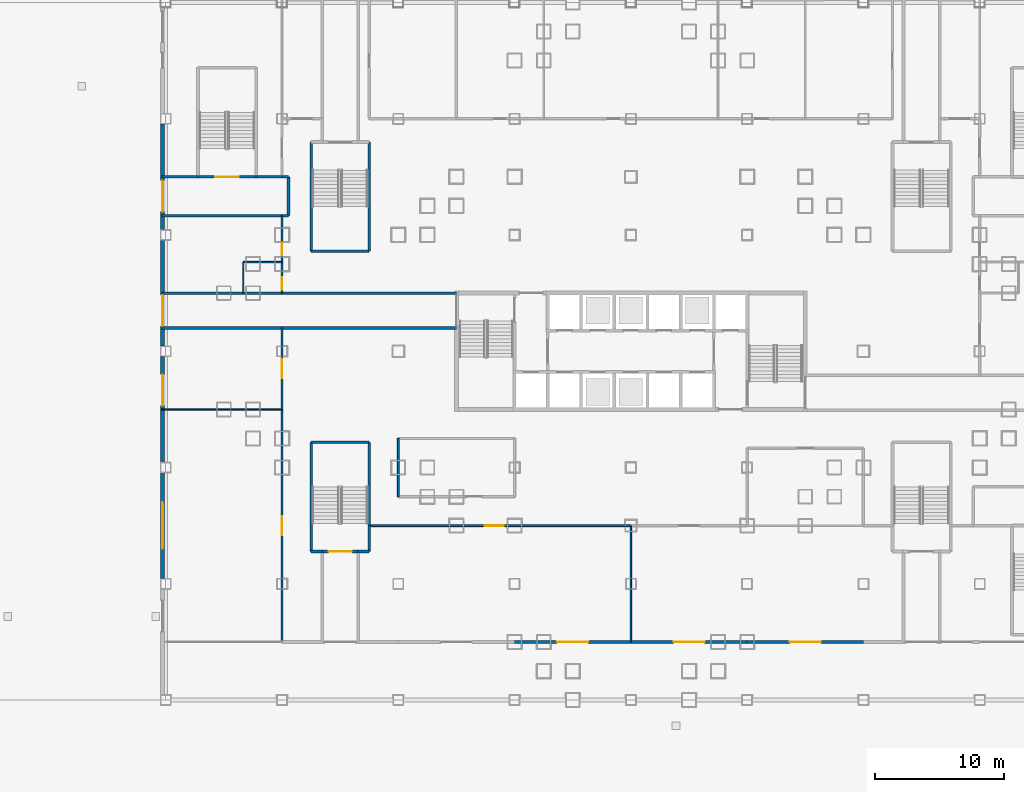
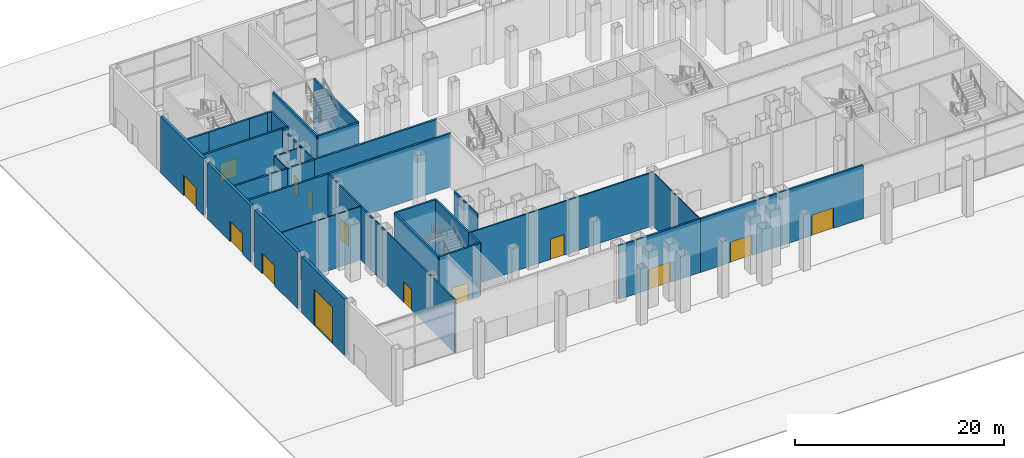
# One storey, part 13 of 38: 39 walls, 14 doors, 14 openings.
"""IFC4 building model written with IfcOpenShell, lengths in metres."""

from ifc_helpers import new_model, si_unit, direction, frame, frame_2d, origin, place, context, subcontext, project, spatial, rectangle, extrude, material, layer, layer_set, type_object, element, fill, save


model = new_model("IFC4")

# Units and contexts
model_context = context("Model", 3, precision=1e-05, world=origin(), true_north=direction((0.0, 1.0)))
body_context = subcontext(model_context, "Body", "Model", "MODEL_VIEW")
ifc_project = project(units=[si_unit("LENGTHUNIT", "METRE"), si_unit("AREAUNIT", "SQUARE_METRE"), si_unit("VOLUMEUNIT", "CUBIC_METRE"), si_unit("PLANEANGLEUNIT", "RADIAN"), si_unit("MASSUNIT", "GRAM", prefix="KILO")], contexts=[model_context])

# Site, building, storey
site_placement = place(None, origin())
site = spatial("IfcSite", under=ifc_project, at=site_placement, CompositionType="ELEMENT")
building_placement = place(site_placement, origin())
building = spatial("IfcBuilding", under=site, at=building_placement, Name="Caravel Reach Hotel and Residences", CompositionType="ELEMENT")
storey_placement = place(building_placement, origin())
storey = spatial("IfcBuildingStorey", under=building, at=storey_placement, Name="L00", CompositionType="ELEMENT", Elevation=0.0)

# Walls
ifc_material_1 = material(Name="Autoclaved aerated block wall")
ifc_layer_1 = layer(ifc_material_1, 0.199951171875)
ifc_layer_set_1 = layer_set([ifc_layer_1], Name="Compartment wall 200 mm EI 120")
wall_type_1 = type_object("IfcWallType", Name="Compartment wall 200 mm EI 120", PredefinedType="PARTITIONING", material=ifc_layer_set_1)
wall_1_placement = place(storey_placement, frame((4.5, 28.800048828125, 0.0), z_axis=(0.0, 0.0, 1.0), x_axis=(1.0, 0.0, 0.0)))
element("IfcWall", 1, at=wall_1_placement, inside=storey, type_object=wall_type_1, Name="L00 wall w052", PredefinedType="PARTITIONING", context=body_context, shape_type="SweptSolid", body=[
    extrude(rectangle(XDim=13.5, YDim=0.199951171875, at=frame_2d((6.75, 0.0))), origin(), (0.0, 0.0, 1.0), 6.25),
])
wall_2_placement = place(storey_placement, frame((-4.7900390625, 28.800048828125, 0.0), z_axis=(0.0, 0.0, 1.0), x_axis=(1.0, 0.0, 0.0)))
element("IfcWall", 2, at=wall_2_placement, inside=storey, type_object=wall_type_1, Name="L00 wall w053", PredefinedType="PARTITIONING", context=body_context, shape_type="SweptSolid", body=[
    extrude(rectangle(XDim=9.2900390625, YDim=0.199951171875, at=frame_2d((4.64501953125, 0.0))), origin(), (0.0, 0.0, 1.0), 6.25),
])
wall_3_placement = place(storey_placement, frame((4.5, 31.5, 0.0), z_axis=(0.0, 0.0, 1.0), x_axis=(1.0, 0.0, 0.0)))
element("IfcWall", 3, at=wall_3_placement, inside=storey, type_object=wall_type_1, Name="L00 wall w054", PredefinedType="PARTITIONING", context=body_context, shape_type="SweptSolid", body=[
    extrude(rectangle(XDim=13.5, YDim=0.199951171875, at=frame_2d((6.75, 0.0))), origin(), (0.0, 0.0, 1.0), 6.25),
])
wall_4_placement = place(storey_placement, frame((1.5, 31.5, 0.0), z_axis=(0.0, 0.0, 1.0), x_axis=(1.0, 0.0, 0.0)))
element("IfcWall", 4, at=wall_4_placement, inside=storey, type_object=wall_type_1, Name="L00 wall w055", PredefinedType="PARTITIONING", context=body_context, shape_type="SweptSolid", body=[
    extrude(rectangle(XDim=3.0, YDim=0.199951171875, at=frame_2d((1.5, 0.0))), origin(), (0.0, 0.0, 1.0), 6.25),
])
wall_5_placement = place(storey_placement, frame((-4.7900390625, 31.5, 0.0), z_axis=(0.0, 0.0, 1.0), x_axis=(1.0, 0.0, 0.0)))
element("IfcWall", 5, at=wall_5_placement, inside=storey, type_object=wall_type_1, Name="L00 wall w056", PredefinedType="PARTITIONING", context=body_context, shape_type="SweptSolid", body=[
    extrude(rectangle(XDim=6.2900390625, YDim=0.199951171875, at=frame_2d((3.14501953125, 0.0))), origin(), (0.0, 0.0, 1.0), 6.25),
])
wall_6_placement = place(storey_placement, frame((4.5, 37.5, 0.0), z_axis=(0.0, 0.0, 1.0), x_axis=(1.0, 0.0, 0.0)))
element("IfcWall", 6, at=wall_6_placement, inside=storey, type_object=wall_type_1, Name="L00 wall w057", PredefinedType="PARTITIONING", context=body_context, shape_type="SweptSolid", body=[
    extrude(rectangle(XDim=0.5, YDim=0.199951171875, at=frame_2d((0.25, 0.0))), origin(), (0.0, 0.0, 1.0), 6.25),
])
wall_7_placement = place(storey_placement, frame((-4.7900390625, 37.5, 0.0), z_axis=(0.0, 0.0, 1.0), x_axis=(1.0, 0.0, 0.0)))
element("IfcWall", 7, at=wall_7_placement, inside=storey, type_object=wall_type_1, Name="L00 wall w058", PredefinedType="PARTITIONING", context=body_context, shape_type="SweptSolid", body=[
    extrude(rectangle(XDim=9.2900390625, YDim=0.199951171875, at=frame_2d((4.64501953125, 0.0))), origin(), (0.0, 0.0, 1.0), 6.25),
])
wall_8_placement = place(storey_placement, frame((4.5, 40.5, 0.0), z_axis=(0.0, 0.0, 1.0), x_axis=(1.0, 0.0, 0.0)))
element("IfcWall", 8, at=wall_8_placement, inside=storey, type_object=wall_type_1, Name="L00 wall w063", PredefinedType="PARTITIONING", context=body_context, shape_type="SweptSolid", body=[
    extrude(rectangle(XDim=0.5, YDim=0.199951171875, at=frame_2d((0.25, 0.0))), origin(), (0.0, 0.0, 1.0), 6.25),
])
wall_9_placement = place(storey_placement, frame((-4.7900390625, 40.5, 0.0), z_axis=(0.0, 0.0, 1.0), x_axis=(1.0, 0.0, 0.0)))
element("IfcWall", 9, at=wall_9_placement, inside=storey, type_object=wall_type_1, Name="L00 wall w064", PredefinedType="PARTITIONING", context=body_context, shape_type="SweptSolid", body=[
    extrude(rectangle(XDim=2.7900390625, YDim=0.199951171875, at=frame_2d((1.39501953125, 0.0))), origin(), (0.0, 0.0, 1.0), 6.25),
])
wall_10_placement = place(storey_placement, frame((2.5, 40.5, 0.0), z_axis=(0.0, 0.0, 1.0), x_axis=(1.0, 0.0, 0.0)))
element("IfcWall", 10, at=wall_10_placement, inside=storey, type_object=wall_type_1, Name="L00 wall w065", PredefinedType="PARTITIONING", context=body_context, shape_type="SweptSolid", body=[
    extrude(rectangle(XDim=2.0, YDim=0.199951171875, at=frame_2d((1.0, 0.0))), origin(), (0.0, 0.0, 1.0), 6.25),
])
wall_11_placement = place(storey_placement, frame((5.0, 37.5, 0.0), z_axis=(0.0, 0.0, 1.0), x_axis=(0.0, 1.0, 0.0)))
element("IfcWall", 11, at=wall_11_placement, inside=storey, type_object=wall_type_1, Name="L00 wall w074", PredefinedType="PARTITIONING", context=body_context, shape_type="SweptSolid", body=[
    extrude(rectangle(XDim=3.0, YDim=0.199951171875, at=frame_2d((1.5, 0.0))), origin(), (0.0, 0.0, 1.0), 6.25),
])

# Wall, opening, door
ifc_material_2 = material(Name="Gypsum board on steel stud, fire-rated", Category="steel")
ifc_layer_2 = layer(ifc_material_2, 0.14990234375)
ifc_layer_set_2 = layer_set([ifc_layer_2], Name="Corridor wall 150 mm EI 60")
wall_type_2 = type_object("IfcWallType", Name="Corridor wall 150 mm EI 60", PredefinedType="PARTITIONING", material=ifc_layer_set_2)
wall_12_placement = place(storey_placement, frame((11.25, 13.5, 0.0), z_axis=(0.0, 0.0, 1.0), x_axis=(1.0, 0.0, 0.0)))
wall_12 = element("IfcWall", 12, at=wall_12_placement, inside=storey, type_object=wall_type_2, Name="L00 wall w001", PredefinedType="PARTITIONING", context=body_context, shape_type="SweptSolid", body=[
    extrude(rectangle(XDim=20.25, YDim=0.14990234375, at=frame_2d((10.125, 0.0))), origin(), (0.0, 0.0, 1.0), 6.25),
])
opening_1_placement = place(wall_12_placement, frame((8.925048828125, 0.0, 0.0)))
opening_1 = element("IfcOpeningElement", 13, at=opening_1_placement, cuts=wall_12, Name="Opening D00-037", PredefinedType="OPENING", context=body_context, shape_type="SweptSolid", body=[
    extrude(rectangle(XDim=1.5, YDim=2.39990234375, at=frame_2d((0.75, 1.199951171875))), frame((0.0, 0.0849609375, 0.0), z_axis=(0.0, -1.0, 0.0), x_axis=(1.0, 0.0, 0.0)), (0.0, 0.0, 1.0), 0.169921875),
])
ifc_material_3 = material(Name="Timber and steel door leaf", Category="steel")
door_type_1 = type_object("IfcDoorType", Name="Shopfront door 1500 x 2400", OperationType="DOUBLE_DOOR_SINGLE_SWING", PredefinedType="DOOR", material=ifc_material_3)
door_1_placement = place(opening_1_placement, origin())
door_1 = element("IfcDoor", 14, at=door_1_placement, inside=storey, type_object=door_type_1, Name="door D00-037", OperationType="DOUBLE_DOOR_SINGLE_SWING", OverallHeight=2.39990234375, OverallWidth=1.5, PredefinedType="DOOR", context=body_context, shape_type="SweptSolid", body=[
    extrude(rectangle(XDim=1.5, YDim=2.39990234375, at=frame_2d((0.75, 1.199951171875))), frame((0.0, 0.02490234375, 0.0), z_axis=(0.0, -1.0, 0.0), x_axis=(1.0, 0.0, 0.0)), (0.0, 0.0, 1.0), 0.050048828125),
])
fill(opening_1, door_1)

# Wall
wall_13_placement = place(storey_placement, frame((13.5, 15.75, 0.0), z_axis=(0.0, 0.0, 1.0), x_axis=(0.0, 1.0, 0.0)))
element("IfcWall", 15, at=wall_13_placement, inside=storey, type_object=wall_type_2, Name="L00 wall w018", PredefinedType="PARTITIONING", context=body_context, shape_type="SweptSolid", body=[
    extrude(rectangle(XDim=4.5, YDim=0.14990234375, at=frame_2d((2.25, 0.0))), origin(), (0.0, 0.0, 1.0), 6.25),
])

# Wall, opening, door
wall_14_placement = place(storey_placement, frame((4.5, 4.5, 0.0), z_axis=(0.0, 0.0, 1.0), x_axis=(0.0, 1.0, 0.0)))
wall_14 = element("IfcWall", 16, at=wall_14_placement, inside=storey, type_object=wall_type_2, Name="L00 wall w020", PredefinedType="PARTITIONING", context=body_context, shape_type="SweptSolid", body=[
    extrude(rectangle(XDim=18.0, YDim=0.14990234375, at=frame_2d((9.0, 0.0))), origin(), (0.0, 0.0, 1.0), 6.25),
])
opening_2_placement = place(wall_14_placement, frame((8.25, 0.0, 0.0)))
opening_2 = element("IfcOpeningElement", 17, at=opening_2_placement, cuts=wall_14, Name="Opening D00-028", PredefinedType="OPENING", context=body_context, shape_type="SweptSolid", body=[
    extrude(rectangle(XDim=1.5, YDim=2.39990234375, at=frame_2d((0.75, 1.199951171875))), frame((0.0, 0.0849609375, 0.0), z_axis=(0.0, -1.0, 0.0), x_axis=(1.0, 0.0, 0.0)), (0.0, 0.0, 1.0), 0.169921875),
])
door_2_placement = place(opening_2_placement, origin())
door_2 = element("IfcDoor", 18, at=door_2_placement, inside=storey, type_object=door_type_1, Name="door D00-028", OperationType="DOUBLE_DOOR_SINGLE_SWING", OverallHeight=2.39990234375, OverallWidth=1.5, PredefinedType="DOOR", context=body_context, shape_type="SweptSolid", body=[
    extrude(rectangle(XDim=1.5, YDim=2.39990234375, at=frame_2d((0.75, 1.199951171875))), frame((0.0, 0.02490234375, 0.0), z_axis=(0.0, -1.0, 0.0), x_axis=(1.0, 0.0, 0.0)), (0.0, 0.0, 1.0), 0.050048828125),
])
fill(opening_2, door_2)

wall_15_placement = place(storey_placement, frame((4.5, 22.5, 0.0), z_axis=(0.0, 0.0, 1.0), x_axis=(0.0, 1.0, 0.0)))
wall_15 = element("IfcWall", 19, at=wall_15_placement, inside=storey, type_object=wall_type_2, Name="L00 wall w021", PredefinedType="PARTITIONING", context=body_context, shape_type="SweptSolid", body=[
    extrude(rectangle(XDim=6.300048828125, YDim=0.14990234375, at=frame_2d((3.14990234375, 0.0))), origin(), (0.0, 0.0, 1.0), 6.25),
])
opening_3_placement = place(wall_15_placement, frame((2.39990234375, 0.0, 0.0)))
opening_3 = element("IfcOpeningElement", 20, at=opening_3_placement, cuts=wall_15, Name="Opening D00-029", PredefinedType="OPENING", context=body_context, shape_type="SweptSolid", body=[
    extrude(rectangle(XDim=1.5, YDim=2.39990234375, at=frame_2d((0.75, 1.199951171875))), frame((0.0, 0.0849609375, 0.0), z_axis=(0.0, -1.0, 0.0), x_axis=(1.0, 0.0, 0.0)), (0.0, 0.0, 1.0), 0.169921875),
])
door_3_placement = place(opening_3_placement, origin())
door_3 = element("IfcDoor", 21, at=door_3_placement, inside=storey, type_object=door_type_1, Name="door D00-029", OperationType="DOUBLE_DOOR_SINGLE_SWING", OverallHeight=2.39990234375, OverallWidth=1.5, PredefinedType="DOOR", context=body_context, shape_type="SweptSolid", body=[
    extrude(rectangle(XDim=1.5, YDim=2.39990234375, at=frame_2d((0.75, 1.199951171875))), frame((0.0, 0.02490234375, 0.0), z_axis=(0.0, -1.0, 0.0), x_axis=(1.0, 0.0, 0.0)), (0.0, 0.0, 1.0), 0.050048828125),
])
fill(opening_3, door_3)

wall_16_placement = place(storey_placement, frame((4.5, 31.5, 0.0), z_axis=(0.0, 0.0, 1.0), x_axis=(0.0, 1.0, 0.0)))
wall_16 = element("IfcWall", 22, at=wall_16_placement, inside=storey, type_object=wall_type_2, Name="L00 wall w022", PredefinedType="PARTITIONING", context=body_context, shape_type="SweptSolid", body=[
    extrude(rectangle(XDim=2.39990234375, YDim=0.14990234375, at=frame_2d((1.199951171875, 0.0))), origin(), (0.0, 0.0, 1.0), 6.25),
])
opening_4_placement = place(wall_16_placement, frame((0.27490234375, 0.0, 0.0)))
opening_4 = element("IfcOpeningElement", 23, at=opening_4_placement, cuts=wall_16, Name="Opening D00-030", PredefinedType="OPENING", context=body_context, shape_type="SweptSolid", body=[
    extrude(rectangle(XDim=0.949951171875, YDim=2.10009765625, at=frame_2d((0.47509765625, 1.050048828125))), frame((0.0, 0.0849609375, 0.0), z_axis=(0.0, -1.0, 0.0), x_axis=(1.0, 0.0, 0.0)), (0.0, 0.0, 1.0), 0.169921875),
])
ifc_material_4 = material(Name="Timber and steel door leaf", Category="steel")
door_type_2 = type_object("IfcDoorType", Name="Accessible WC door 950 x 2100", OperationType="SINGLE_SWING_LEFT", PredefinedType="DOOR", material=ifc_material_4)
door_4_placement = place(opening_4_placement, origin())
door_4 = element("IfcDoor", 24, at=door_4_placement, inside=storey, type_object=door_type_2, Name="door D00-030", OperationType="SINGLE_SWING_LEFT", OverallHeight=2.10009765625, OverallWidth=0.949951171875, PredefinedType="DOOR", context=body_context, shape_type="SweptSolid", body=[
    extrude(rectangle(XDim=0.949951171875, YDim=2.10009765625, at=frame_2d((0.47509765625, 1.050048828125))), frame((0.0, 0.02490234375, 0.0), z_axis=(0.0, -1.0, 0.0), x_axis=(1.0, 0.0, 0.0)), (0.0, 0.0, 1.0), 0.050048828125),
])
fill(opening_4, door_4)

wall_17_placement = place(storey_placement, frame((4.5, 33.89990234375, 0.0), z_axis=(0.0, 0.0, 1.0), x_axis=(0.0, 1.0, 0.0)))
wall_17 = element("IfcWall", 25, at=wall_17_placement, inside=storey, type_object=wall_type_2, Name="L00 wall w023", PredefinedType="PARTITIONING", context=body_context, shape_type="SweptSolid", body=[
    extrude(rectangle(XDim=3.60009765625, YDim=0.14990234375, at=frame_2d((1.800048828125, 0.0))), origin(), (0.0, 0.0, 1.0), 6.25),
])
opening_5_placement = place(wall_17_placement, frame((0.550048828125, 0.0, 0.0)))
opening_5 = element("IfcOpeningElement", 26, at=opening_5_placement, cuts=wall_17, Name="Opening D00-031", PredefinedType="OPENING", context=body_context, shape_type="SweptSolid", body=[
    extrude(rectangle(XDim=0.89990234375, YDim=2.10009765625, at=frame_2d((0.449951171875, 1.050048828125))), frame((0.0, 0.0849609375, 0.0), z_axis=(0.0, -1.0, 0.0), x_axis=(1.0, 0.0, 0.0)), (0.0, 0.0, 1.0), 0.169921875),
])
ifc_material_5 = material(Name="Timber and steel door leaf", Category="steel")
door_type_3 = type_object("IfcDoorType", Name="Door 900 x 2100 timber", OperationType="SINGLE_SWING_LEFT", PredefinedType="DOOR", material=ifc_material_5)
door_5_placement = place(opening_5_placement, origin())
door_5 = element("IfcDoor", 27, at=door_5_placement, inside=storey, type_object=door_type_3, Name="door D00-031", OperationType="SINGLE_SWING_LEFT", OverallHeight=2.10009765625, OverallWidth=0.89990234375, PredefinedType="DOOR", context=body_context, shape_type="SweptSolid", body=[
    extrude(rectangle(XDim=0.89990234375, YDim=2.10009765625, at=frame_2d((0.449951171875, 1.050048828125))), frame((0.0, 0.02490234375, 0.0), z_axis=(0.0, -1.0, 0.0), x_axis=(1.0, 0.0, 0.0)), (0.0, 0.0, 1.0), 0.050048828125),
])
fill(opening_5, door_5)

ifc_material_6 = material(Name="Insulated wall, stone cladding", Category="masonry")
ifc_layer_3 = layer(ifc_material_6, 0.300048828125)
ifc_layer_set_3 = layer_set([ifc_layer_3], Name="EW2 Podium stone-clad wall")
wall_type_3 = type_object("IfcWallType", Name="EW2 Podium stone-clad wall", PredefinedType="SOLIDWALL", material=ifc_layer_set_3)
wall_18_placement = place(storey_placement, frame((-4.75, 36.39990234375, 0.0), z_axis=(0.0, 0.0, 1.0), x_axis=(0.0, 1.0, 0.0)))
wall_18 = element("IfcWall", 28, at=wall_18_placement, inside=storey, type_object=wall_type_3, Name="External wall L00 W3.2", PredefinedType="SOLIDWALL", context=body_context, shape_type="SweptSolid", body=[
    extrude(rectangle(XDim=8.2001953125, YDim=0.300048828125, at=frame_2d((4.10009765625, 0.0))), origin(), (0.0, 0.0, 1.0), 6.60009765625),
])
opening_6_placement = place(wall_18_placement, frame((1.39990234375, 0.0, 0.0)))
opening_6 = element("IfcOpeningElement", 29, at=opening_6_placement, cuts=wall_18, Name="Opening D00-826", PredefinedType="OPENING", context=body_context, shape_type="SweptSolid", body=[
    extrude(rectangle(XDim=2.39990234375, YDim=2.39990234375, at=frame_2d((1.199951171875, 1.199951171875))), frame((0.0, 0.159912109375, 0.0), z_axis=(0.0, -1.0, 0.0), x_axis=(1.0, 0.0, 0.0)), (0.0, 0.0, 1.0), 0.320068359375),
])
ifc_material_7 = material(Name="Dark glazed door in black aluminium frame", Category="aluminium")
door_type_4 = type_object("IfcDoorType", Name="Entrance door 2400 x 2400", OperationType="DOUBLE_DOOR_SINGLE_SWING", PredefinedType="DOOR", material=ifc_material_7)
door_6_placement = place(opening_6_placement, origin())
door_6 = element("IfcDoor", 30, at=door_6_placement, inside=storey, type_object=door_type_4, Name="Door D00-826", OperationType="DOUBLE_DOOR_SINGLE_SWING", OverallHeight=2.39990234375, OverallWidth=2.39990234375, PredefinedType="DOOR", context=body_context, shape_type="SweptSolid", body=[
    extrude(rectangle(XDim=2.39990234375, YDim=2.39990234375, at=frame_2d((1.199951171875, 1.199951171875))), frame((0.0, 0.02490234375, 0.0), z_axis=(0.0, -1.0, 0.0), x_axis=(1.0, 0.0, 0.0)), (0.0, 0.0, 1.0), 0.050048828125),
])
fill(opening_6, door_6)

wall_19_placement = place(storey_placement, frame((-4.75, 27.39990234375, 0.0), z_axis=(0.0, 0.0, 1.0), x_axis=(0.0, 1.0, 0.0)))
wall_19 = element("IfcWall", 31, at=wall_19_placement, inside=storey, type_object=wall_type_3, Name="External wall L00 W3.3", PredefinedType="SOLIDWALL", context=body_context, shape_type="SweptSolid", body=[
    extrude(rectangle(XDim=8.2001953125, YDim=0.300048828125, at=frame_2d((4.10009765625, 0.0))), origin(), (0.0, 0.0, 1.0), 6.60009765625),
])
opening_7_placement = place(wall_19_placement, frame((1.550048828125, 0.0, 0.0)))
opening_7 = element("IfcOpeningElement", 32, at=opening_7_placement, cuts=wall_19, Name="Opening D00-827", PredefinedType="OPENING", context=body_context, shape_type="SweptSolid", body=[
    extrude(rectangle(XDim=2.39990234375, YDim=2.39990234375, at=frame_2d((1.199951171875, 1.199951171875))), frame((0.0, 0.159912109375, 0.0), z_axis=(0.0, -1.0, 0.0), x_axis=(1.0, 0.0, 0.0)), (0.0, 0.0, 1.0), 0.320068359375),
])
door_7_placement = place(opening_7_placement, origin())
door_7 = element("IfcDoor", 33, at=door_7_placement, inside=storey, type_object=door_type_4, Name="Door D00-827", OperationType="DOUBLE_DOOR_SINGLE_SWING", OverallHeight=2.39990234375, OverallWidth=2.39990234375, PredefinedType="DOOR", context=body_context, shape_type="SweptSolid", body=[
    extrude(rectangle(XDim=2.39990234375, YDim=2.39990234375, at=frame_2d((1.199951171875, 1.199951171875))), frame((0.0, 0.02490234375, 0.0), z_axis=(0.0, -1.0, 0.0), x_axis=(1.0, 0.0, 0.0)), (0.0, 0.0, 1.0), 0.050048828125),
])
fill(opening_7, door_7)

wall_20_placement = place(storey_placement, frame((-4.75, 18.39990234375, 0.0), z_axis=(0.0, 0.0, 1.0), x_axis=(0.0, 1.0, 0.0)))
wall_20 = element("IfcWall", 34, at=wall_20_placement, inside=storey, type_object=wall_type_3, Name="External wall L00 W3.4", PredefinedType="SOLIDWALL", context=body_context, shape_type="SweptSolid", body=[
    extrude(rectangle(XDim=8.2001953125, YDim=0.300048828125, at=frame_2d((4.10009765625, 0.0))), origin(), (0.0, 0.0, 1.0), 6.60009765625),
])
opening_8_placement = place(wall_20_placement, frame((4.39990234375, 0.0, 0.0)))
opening_8 = element("IfcOpeningElement", 35, at=opening_8_placement, cuts=wall_20, Name="Opening D00-828", PredefinedType="OPENING", context=body_context, shape_type="SweptSolid", body=[
    extrude(rectangle(XDim=2.39990234375, YDim=2.39990234375, at=frame_2d((1.199951171875, 1.199951171875))), frame((0.0, 0.159912109375, 0.0), z_axis=(0.0, -1.0, 0.0), x_axis=(1.0, 0.0, 0.0)), (0.0, 0.0, 1.0), 0.320068359375),
])
door_8_placement = place(opening_8_placement, origin())
door_8 = element("IfcDoor", 36, at=door_8_placement, inside=storey, type_object=door_type_4, Name="Door D00-828", OperationType="DOUBLE_DOOR_SINGLE_SWING", OverallHeight=2.39990234375, OverallWidth=2.39990234375, PredefinedType="DOOR", context=body_context, shape_type="SweptSolid", body=[
    extrude(rectangle(XDim=2.39990234375, YDim=2.39990234375, at=frame_2d((1.199951171875, 1.199951171875))), frame((0.0, 0.02490234375, 0.0), z_axis=(0.0, -1.0, 0.0), x_axis=(1.0, 0.0, 0.0)), (0.0, 0.0, 1.0), 0.050048828125),
])
fill(opening_8, door_8)

wall_21_placement = place(storey_placement, frame((-4.75, 9.39990234375, 0.0), z_axis=(0.0, 0.0, 1.0), x_axis=(0.0, 1.0, 0.0)))
wall_21 = element("IfcWall", 37, at=wall_21_placement, inside=storey, type_object=wall_type_3, Name="External wall L00 W3.5", PredefinedType="SOLIDWALL", context=body_context, shape_type="SweptSolid", body=[
    extrude(rectangle(XDim=8.2001953125, YDim=0.300048828125, at=frame_2d((4.10009765625, 0.0))), origin(), (0.0, 0.0, 1.0), 6.60009765625),
])
opening_9_placement = place(wall_21_placement, frame((2.300048828125, 0.0, 0.0)))
opening_9 = element("IfcOpeningElement", 38, at=opening_9_placement, cuts=wall_21, Name="Opening D00-829", PredefinedType="OPENING", context=body_context, shape_type="SweptSolid", body=[
    extrude(rectangle(XDim=3.60009765625, YDim=4.199951171875, at=frame_2d((1.800048828125, 2.10009765625))), frame((0.0, 0.159912109375, 0.0), z_axis=(0.0, -1.0, 0.0), x_axis=(1.0, 0.0, 0.0)), (0.0, 0.0, 1.0), 0.320068359375),
])
ifc_material_8 = material(Name="Perforated aluminium roller shutter", Category="aluminium")
door_type_5 = type_object("IfcDoorType", Name="Loading shutter 3600 x 4200", OperationType="ROLLINGUP", PredefinedType="DOOR", material=ifc_material_8)
door_9_placement = place(opening_9_placement, origin())
door_9 = element("IfcDoor", 39, at=door_9_placement, inside=storey, type_object=door_type_5, Name="Door D00-829", OperationType="ROLLINGUP", OverallHeight=4.199951171875, OverallWidth=3.60009765625, PredefinedType="DOOR", context=body_context, shape_type="SweptSolid", body=[
    extrude(rectangle(XDim=3.60009765625, YDim=4.199951171875, at=frame_2d((1.800048828125, 2.10009765625))), frame((0.0, 0.02490234375, 0.0), z_axis=(0.0, -1.0, 0.0), x_axis=(1.0, 0.0, 0.0)), (0.0, 0.0, 1.0), 0.050048828125),
])
fill(opening_9, door_9)

ifc_material_9 = material(Name="Insulated wall, stone cladding", Category="masonry")
ifc_layer_4 = layer(ifc_material_9, 0.199951171875)
ifc_layer_set_4 = layer_set([ifc_layer_4], Name="EW3 Entrance wall 200")
wall_type_4 = type_object("IfcWallType", Name="EW3 Entrance wall 200", PredefinedType="SOLIDWALL", material=ifc_layer_set_4)
wall_22_placement = place(storey_placement, frame((31.5, 4.5, 0.0), z_axis=(0.0, 0.0, 1.0), x_axis=(-1.0, 0.0, 0.0)))
wall_22 = element("IfcWall", 40, at=wall_22_placement, inside=storey, type_object=wall_type_4, Name="Lobby wall 4", PredefinedType="SOLIDWALL", context=body_context, shape_type="SweptSolid", body=[
    extrude(rectangle(XDim=9.0, YDim=0.199951171875, at=frame_2d((4.5, 0.0))), origin(), (0.0, 0.0, 1.0), 6.25),
])
opening_10_placement = place(wall_22_placement, frame((3.300048828125, 0.0, 0.0)))
opening_10 = element("IfcOpeningElement", 41, at=opening_10_placement, cuts=wall_22, Name="Opening D00-833", PredefinedType="OPENING", context=body_context, shape_type="SweptSolid", body=[
    extrude(rectangle(XDim=2.39990234375, YDim=2.39990234375, at=frame_2d((1.199951171875, 1.199951171875))), frame((0.0, 0.10986328125, 0.0), z_axis=(0.0, -1.0, 0.0), x_axis=(1.0, 0.0, 0.0)), (0.0, 0.0, 1.0), 0.219970703125),
])
door_10_placement = place(opening_10_placement, origin())
door_10 = element("IfcDoor", 42, at=door_10_placement, inside=storey, type_object=door_type_4, Name="Door D00-833", OperationType="DOUBLE_DOOR_SINGLE_SWING", OverallHeight=2.39990234375, OverallWidth=2.39990234375, PredefinedType="DOOR", context=body_context, shape_type="SweptSolid", body=[
    extrude(rectangle(XDim=2.39990234375, YDim=2.39990234375, at=frame_2d((1.199951171875, 1.199951171875))), frame((0.0, 0.02490234375, 0.0), z_axis=(0.0, -1.0, 0.0), x_axis=(1.0, 0.0, 0.0)), (0.0, 0.0, 1.0), 0.050048828125),
])
fill(opening_10, door_10)

wall_23_placement = place(storey_placement, frame((40.5, 4.5, 0.0), z_axis=(0.0, 0.0, 1.0), x_axis=(-1.0, 0.0, 0.0)))
wall_23 = element("IfcWall", 43, at=wall_23_placement, inside=storey, type_object=wall_type_4, Name="Lobby wall 5", PredefinedType="SOLIDWALL", context=body_context, shape_type="SweptSolid", body=[
    extrude(rectangle(XDim=9.0, YDim=0.199951171875, at=frame_2d((4.5, 0.0))), origin(), (0.0, 0.0, 1.0), 6.25),
])
opening_11_placement = place(wall_23_placement, frame((3.300048828125, 0.0, 0.0)))
opening_11 = element("IfcOpeningElement", 44, at=opening_11_placement, cuts=wall_23, Name="Opening D00-834", PredefinedType="OPENING", context=body_context, shape_type="SweptSolid", body=[
    extrude(rectangle(XDim=2.39990234375, YDim=2.39990234375, at=frame_2d((1.199951171875, 1.199951171875))), frame((0.0, 0.10986328125, 0.0), z_axis=(0.0, -1.0, 0.0), x_axis=(1.0, 0.0, 0.0)), (0.0, 0.0, 1.0), 0.219970703125),
])
door_11_placement = place(opening_11_placement, origin())
door_11 = element("IfcDoor", 45, at=door_11_placement, inside=storey, type_object=door_type_4, Name="Door D00-834", OperationType="DOUBLE_DOOR_SINGLE_SWING", OverallHeight=2.39990234375, OverallWidth=2.39990234375, PredefinedType="DOOR", context=body_context, shape_type="SweptSolid", body=[
    extrude(rectangle(XDim=2.39990234375, YDim=2.39990234375, at=frame_2d((1.199951171875, 1.199951171875))), frame((0.0, 0.02490234375, 0.0), z_axis=(0.0, -1.0, 0.0), x_axis=(1.0, 0.0, 0.0)), (0.0, 0.0, 1.0), 0.050048828125),
])
fill(opening_11, door_11)

wall_24_placement = place(storey_placement, frame((49.5, 4.5, 0.0), z_axis=(0.0, 0.0, 1.0), x_axis=(-1.0, 0.0, 0.0)))
wall_24 = element("IfcWall", 46, at=wall_24_placement, inside=storey, type_object=wall_type_4, Name="Lobby wall 6", PredefinedType="SOLIDWALL", context=body_context, shape_type="SweptSolid", body=[
    extrude(rectangle(XDim=9.0, YDim=0.199951171875, at=frame_2d((4.5, 0.0))), origin(), (0.0, 0.0, 1.0), 6.25),
])
opening_12_placement = place(wall_24_placement, frame((3.300048828125, 0.0, 0.0)))
opening_12 = element("IfcOpeningElement", 47, at=opening_12_placement, cuts=wall_24, Name="Opening D00-835", PredefinedType="OPENING", context=body_context, shape_type="SweptSolid", body=[
    extrude(rectangle(XDim=2.39990234375, YDim=2.39990234375, at=frame_2d((1.199951171875, 1.199951171875))), frame((0.0, 0.10986328125, 0.0), z_axis=(0.0, -1.0, 0.0), x_axis=(1.0, 0.0, 0.0)), (0.0, 0.0, 1.0), 0.219970703125),
])
door_12_placement = place(opening_12_placement, origin())
door_12 = element("IfcDoor", 48, at=door_12_placement, inside=storey, type_object=door_type_4, Name="Door D00-835", OperationType="DOUBLE_DOOR_SINGLE_SWING", OverallHeight=2.39990234375, OverallWidth=2.39990234375, PredefinedType="DOOR", context=body_context, shape_type="SweptSolid", body=[
    extrude(rectangle(XDim=2.39990234375, YDim=2.39990234375, at=frame_2d((1.199951171875, 1.199951171875))), frame((0.0, 0.02490234375, 0.0), z_axis=(0.0, -1.0, 0.0), x_axis=(1.0, 0.0, 0.0)), (0.0, 0.0, 1.0), 0.050048828125),
])
fill(opening_12, door_12)

# Walls
ifc_material_10 = material(Name="Gypsum board on steel stud", Category="steel")
ifc_layer_5 = layer(ifc_material_10, 0.10009765625)
ifc_layer_set_5 = layer_set([ifc_layer_5], Name="Partition 100 mm")
wall_type_5 = type_object("IfcWallType", Name="Partition 100 mm", PredefinedType="PARTITIONING", material=ifc_layer_set_5)
wall_25_placement = place(storey_placement, frame((-4.7900390625, 22.5, 0.0), z_axis=(0.0, 0.0, 1.0), x_axis=(1.0, 0.0, 0.0)))
element("IfcWall", 49, at=wall_25_placement, inside=storey, type_object=wall_type_5, Name="L00 wall w033", PredefinedType="PARTITIONING", context=body_context, shape_type="SweptSolid", body=[
    extrude(rectangle(XDim=9.2900390625, YDim=0.10009765625, at=frame_2d((4.64501953125, 0.0))), origin(), (0.0, 0.0, 1.0), 6.25),
])
wall_26_placement = place(storey_placement, frame((1.5, 33.89990234375, 0.0), z_axis=(0.0, 0.0, 1.0), x_axis=(1.0, 0.0, 0.0)))
element("IfcWall", 50, at=wall_26_placement, inside=storey, type_object=wall_type_5, Name="L00 wall w035", PredefinedType="PARTITIONING", context=body_context, shape_type="SweptSolid", body=[
    extrude(rectangle(XDim=3.0, YDim=0.10009765625, at=frame_2d((1.5, 0.0))), origin(), (0.0, 0.0, 1.0), 6.25),
])
wall_27_placement = place(storey_placement, frame((1.5, 31.5, 0.0), z_axis=(0.0, 0.0, 1.0), x_axis=(0.0, 1.0, 0.0)))
element("IfcWall", 51, at=wall_27_placement, inside=storey, type_object=wall_type_5, Name="L00 wall w038", PredefinedType="PARTITIONING", context=body_context, shape_type="SweptSolid", body=[
    extrude(rectangle(XDim=2.39990234375, YDim=0.10009765625, at=frame_2d((1.199951171875, 0.0))), origin(), (0.0, 0.0, 1.0), 6.25),
])
wall_28_placement = place(storey_placement, frame((31.5, 4.5, 0.0), z_axis=(0.0, 0.0, 1.0), x_axis=(0.0, 1.0, 0.0)))
element("IfcWall", 52, at=wall_28_placement, inside=storey, type_object=wall_type_5, Name="L00 wall w040", PredefinedType="PARTITIONING", context=body_context, shape_type="SweptSolid", body=[
    extrude(rectangle(XDim=9.0, YDim=0.10009765625, at=frame_2d((4.5, 0.0))), origin(), (0.0, 0.0, 1.0), 6.25),
])
ifc_material_11 = material(Name="Concrete C60", Category="concrete")
ifc_layer_6 = layer(ifc_material_11, 0.199951171875)
ifc_layer_set_6 = layer_set([ifc_layer_6], Name="Stair enclosure wall 200 mm EI 120")
wall_type_6 = type_object("IfcWallType", Name="Stair enclosure wall 200 mm EI 120", PredefinedType="SHEAR", material=ifc_layer_set_6)
wall_29_placement = place(storey_placement, frame((6.75, 11.5, 0.0), z_axis=(0.0, 0.0, 1.0), x_axis=(1.0, 0.0, 0.0)))
element("IfcWall", 53, at=wall_29_placement, inside=storey, type_object=wall_type_6, Name="L00 wall w085", PredefinedType="SHEAR", context=body_context, shape_type="SweptSolid", body=[
    extrude(rectangle(XDim=0.85009765625, YDim=0.199951171875, at=frame_2d((0.425048828125, 0.0))), origin(), (0.0, 0.0, 1.0), 6.25),
])

# Wall, opening, door
wall_30_placement = place(storey_placement, frame((7.60009765625, 11.5, 0.0), z_axis=(0.0, 0.0, 1.0), x_axis=(1.0, 0.0, 0.0)))
wall_30 = element("IfcWall", 54, at=wall_30_placement, inside=storey, type_object=wall_type_6, Name="L00 wall w086", PredefinedType="SHEAR", context=body_context, shape_type="SweptSolid", body=[
    extrude(rectangle(XDim=2.7998046875, YDim=0.199951171875, at=frame_2d((1.39990234375, 0.0))), origin(), (0.0, 0.0, 1.0), 6.25),
])
opening_13_placement = place(wall_30_placement, frame((0.5, 0.0, 0.0)))
opening_13 = element("IfcOpeningElement", 55, at=opening_13_placement, cuts=wall_30, Name="Opening D00-023", PredefinedType="OPENING", context=body_context, shape_type="SweptSolid", body=[
    extrude(rectangle(XDim=1.800048828125, YDim=2.10009765625, at=frame_2d((0.89990234375, 1.050048828125))), frame((0.0, 0.10986328125, 0.0), z_axis=(0.0, -1.0, 0.0), x_axis=(1.0, 0.0, 0.0)), (0.0, 0.0, 1.0), 0.219970703125),
])
ifc_material_12 = material(Name="Steel fire door leaf", Category="steel")
door_type_6 = type_object("IfcDoorType", Name="Stair door pair 1800 x 2100 EI 90", OperationType="DOUBLE_DOOR_SINGLE_SWING", PredefinedType="DOOR", material=ifc_material_12)
door_13_placement = place(opening_13_placement, origin())
door_13 = element("IfcDoor", 56, at=door_13_placement, inside=storey, type_object=door_type_6, Name="door D00-023", OperationType="DOUBLE_DOOR_SINGLE_SWING", OverallHeight=2.10009765625, OverallWidth=1.800048828125, PredefinedType="DOOR", context=body_context, shape_type="SweptSolid", body=[
    extrude(rectangle(XDim=1.800048828125, YDim=2.10009765625, at=frame_2d((0.89990234375, 1.050048828125))), frame((0.0, 0.02490234375, 0.0), z_axis=(0.0, -1.0, 0.0), x_axis=(1.0, 0.0, 0.0)), (0.0, 0.0, 1.0), 0.050048828125),
])
fill(opening_13, door_13)

# Walls
wall_31_placement = place(storey_placement, frame((10.39990234375, 11.5, 0.0), z_axis=(0.0, 0.0, 1.0), x_axis=(1.0, 0.0, 0.0)))
element("IfcWall", 57, at=wall_31_placement, inside=storey, type_object=wall_type_6, Name="L00 wall w087", PredefinedType="SHEAR", context=body_context, shape_type="SweptSolid", body=[
    extrude(rectangle(XDim=0.85009765625, YDim=0.199951171875, at=frame_2d((0.425048828125, 0.0))), origin(), (0.0, 0.0, 1.0), 6.25),
])
for number, where, z_axis, x_axis, name in (
    (58, (6.75, 19.949951171875, 0.0), (0.0, 0.0, 1.0), (1.0, 0.0, 0.0), "L00 wall w092"),
    (59, (6.75, 34.75, 0.0), (0.0, 0.0, 1.0), (1.0, 0.0, 0.0), "L00 wall w094"),
):
    element("IfcWall", number, at=place(storey_placement, frame(where, z_axis=z_axis, x_axis=x_axis)), inside=storey, type_object=wall_type_6, Name=name, PredefinedType="SHEAR", context=body_context, shape_type="SweptSolid", body=[
        extrude(rectangle(XDim=4.5, YDim=0.199951171875, at=frame_2d((2.25, 0.0))), origin(), (0.0, 0.0, 1.0), 6.25),
    ])

# Wall, opening, door
wall_32_placement = place(storey_placement, frame((-2.0, 40.5, 0.0), z_axis=(0.0, 0.0, 1.0), x_axis=(1.0, 0.0, 0.0)))
wall_32 = element("IfcWall", 60, at=wall_32_placement, inside=storey, type_object=wall_type_6, Name="L00 wall w096", PredefinedType="SHEAR", context=body_context, shape_type="SweptSolid", body=[
    extrude(rectangle(XDim=4.5, YDim=0.199951171875, at=frame_2d((2.25, 0.0))), origin(), (0.0, 0.0, 1.0), 6.25),
])
opening_14_placement = place(wall_32_placement, frame((1.35009765625, 0.0, 0.0)))
opening_14 = element("IfcOpeningElement", 61, at=opening_14_placement, cuts=wall_32, Name="Opening D00-025", PredefinedType="OPENING", context=body_context, shape_type="SweptSolid", body=[
    extrude(rectangle(XDim=1.800048828125, YDim=2.10009765625, at=frame_2d((0.89990234375, 1.050048828125))), frame((0.0, 0.10986328125, 0.0), z_axis=(0.0, -1.0, 0.0), x_axis=(1.0, 0.0, 0.0)), (0.0, 0.0, 1.0), 0.219970703125),
])
door_14_placement = place(opening_14_placement, origin())
door_14 = element("IfcDoor", 62, at=door_14_placement, inside=storey, type_object=door_type_6, Name="door D00-025", OperationType="DOUBLE_DOOR_SINGLE_SWING", OverallHeight=2.10009765625, OverallWidth=1.800048828125, PredefinedType="DOOR", context=body_context, shape_type="SweptSolid", body=[
    extrude(rectangle(XDim=1.800048828125, YDim=2.10009765625, at=frame_2d((0.89990234375, 1.050048828125))), frame((0.0, 0.02490234375, 0.0), z_axis=(0.0, -1.0, 0.0), x_axis=(1.0, 0.0, 0.0)), (0.0, 0.0, 1.0), 0.050048828125),
])
fill(opening_14, door_14)

# Walls
wall_33_placement = place(storey_placement, frame((11.25, 34.75, 0.0), z_axis=(0.0, 0.0, 1.0), x_axis=(0.0, 1.0, 0.0)))
element("IfcWall", 63, at=wall_33_placement, inside=storey, type_object=wall_type_6, Name="L00 wall w108", PredefinedType="SHEAR", context=body_context, shape_type="SweptSolid", body=[
    extrude(rectangle(XDim=8.449951171875, YDim=0.199951171875, at=frame_2d((4.22509765625, 0.0))), origin(), (0.0, 0.0, 1.0), 6.25),
])
wall_34_placement = place(storey_placement, frame((11.25, 13.5, 0.0), z_axis=(0.0, 0.0, 1.0), x_axis=(0.0, 1.0, 0.0)))
element("IfcWall", 64, at=wall_34_placement, inside=storey, type_object=wall_type_6, Name="L00 wall w109", PredefinedType="SHEAR", context=body_context, shape_type="SweptSolid", body=[
    extrude(rectangle(XDim=6.449951171875, YDim=0.199951171875, at=frame_2d((3.22509765625, 0.0))), origin(), (0.0, 0.0, 1.0), 6.25),
])
wall_35_placement = place(storey_placement, frame((11.25, 11.5, 0.0), z_axis=(0.0, 0.0, 1.0), x_axis=(0.0, 1.0, 0.0)))
element("IfcWall", 65, at=wall_35_placement, inside=storey, type_object=wall_type_6, Name="L00 wall w110", PredefinedType="SHEAR", context=body_context, shape_type="SweptSolid", body=[
    extrude(rectangle(XDim=2.0, YDim=0.199951171875, at=frame_2d((1.0, 0.0))), origin(), (0.0, 0.0, 1.0), 6.25),
])
for number, where, z_axis, x_axis, name in (
    (66, (6.75, 34.75, 0.0), (0.0, 0.0, 1.0), (0.0, 1.0, 0.0), "L00 wall w118"),
    (67, (6.75, 11.5, 0.0), (0.0, 0.0, 1.0), (0.0, 1.0, 0.0), "L00 wall w119"),
):
    element("IfcWall", number, at=place(storey_placement, frame(where, z_axis=z_axis, x_axis=x_axis)), inside=storey, type_object=wall_type_6, Name=name, PredefinedType="SHEAR", context=body_context, shape_type="SweptSolid", body=[
        extrude(rectangle(XDim=8.449951171875, YDim=0.199951171875, at=frame_2d((4.22509765625, 0.0))), origin(), (0.0, 0.0, 1.0), 6.25),
    ])

save(model, "model.ifc")
